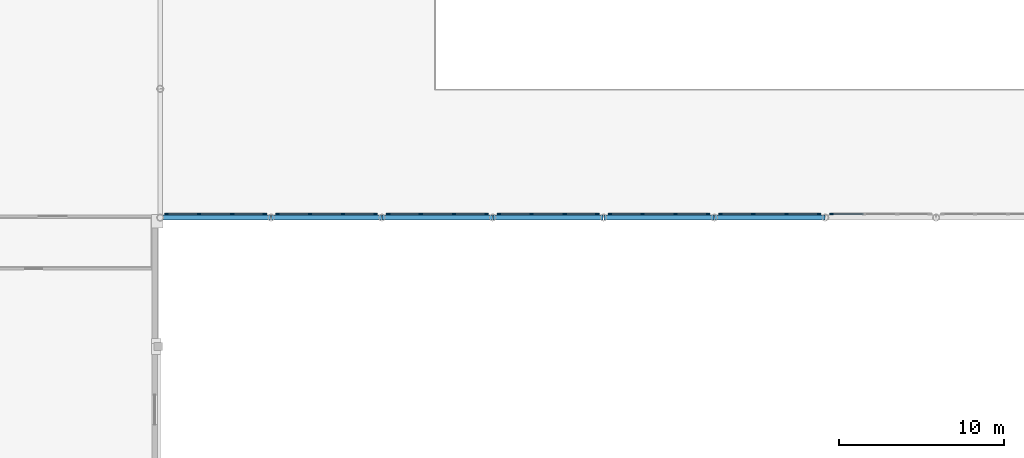
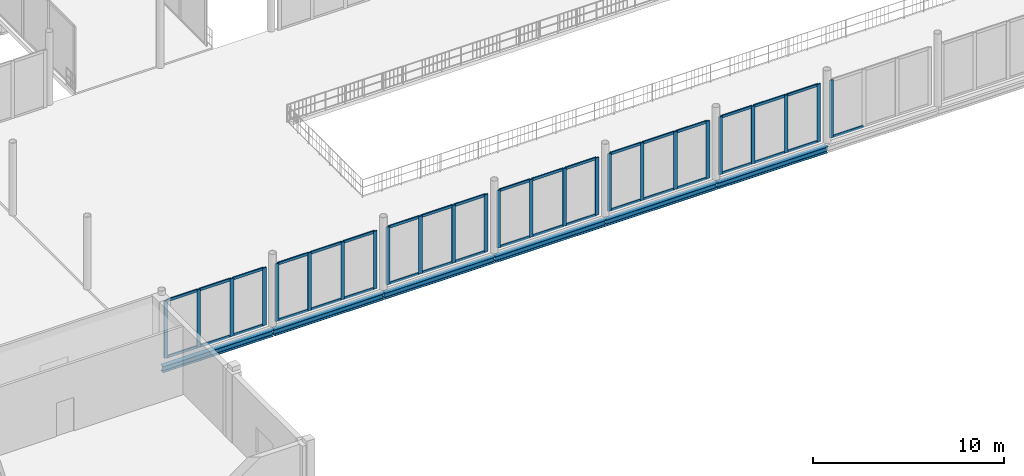
# One storey, part 28 of 98: 62 members, 6 beams, 7 elements without a shape of their own.
"""IFC4 building model written with IfcOpenShell, lengths in metres."""

from ifc_helpers import new_model, si_unit, direction, frame, origin, origin_2d, place, context, subcontext, project, spatial, rectangle, i_section, extrude, material, material_profile, profile_set, type_object, element, aggregate, save


model = new_model("IFC4")

# Units and contexts
model_context = context("Model", 3, precision=1e-05, world=origin(), true_north=direction((0.0, 1.0)))
body_context = subcontext(model_context, "Body", "Model", "MODEL_VIEW")
ifc_project = project(units=[si_unit("LENGTHUNIT", "METRE"), si_unit("AREAUNIT", "SQUARE_METRE"), si_unit("VOLUMEUNIT", "CUBIC_METRE"), si_unit("PLANEANGLEUNIT", "RADIAN"), si_unit("MASSUNIT", "GRAM", prefix="KILO")], contexts=[model_context])

# Site, building, storey
site_placement = place(None, origin())
site = spatial("IfcSite", under=ifc_project, at=site_placement, CompositionType="ELEMENT")
building_placement = place(site_placement, origin())
building = spatial("IfcBuilding", under=site, at=building_placement, Name="Nabrawat Pavilion Hospital", CompositionType="ELEMENT")
storey_placement = place(building_placement, frame((0.0, 0.0, 10.199951171875)))
storey = spatial("IfcBuildingStorey", under=building, at=storey_placement, Name="L02", CompositionType="ELEMENT", Elevation=10.199951171875)

# Curtain wall, members
ifc_material_1 = material(Name="Anodised Aluminium", Category="aluminium")
curtain_wall_type = type_object("IfcCurtainWallType", Name="Main Hall Pavilion Unitised Curtain Wall", PredefinedType="USERDEFINED", material=ifc_material_1)
curtain_wall_1_placement = place(storey_placement, origin())
curtain_wall_1 = element("IfcCurtainWall", 1, at=curtain_wall_1_placement, inside=storey, type_object=curtain_wall_type, Name="L02 Main Hall Pavilion Unitised Curtain Wall 098", ObjectType="CURTAIN WALL", PredefinedType="USERDEFINED")
ifc_material_profile_1 = material_profile(ifc_material_1, rectangle(XDim=0.074951171875, YDim=0.219970703125, at=origin_2d()), Name="CWM 75x220")
ifc_profile_set_1 = profile_set([ifc_material_profile_1], Name="Anodised Aluminium")
member_type_1 = type_object("IfcMemberType", Name="Main Hall Pavilion Unitised Curtain Wall Mullion CWM 75x220", PredefinedType="MULLION", material=ifc_profile_set_1)
member_1_placement = place(storey_placement, frame((59.30078125, 15.820068359375, 0.0), z_axis=(0.0, 0.0, 1.0), x_axis=(0.0, 1.0, 0.0)))
member_1 = element("IfcMember", 2, at=member_1_placement, type_object=member_type_1, Name="CW-MH-01 mullion 1", PredefinedType="MULLION", context=body_context, shape_type="SweptSolid", body=[
    extrude(rectangle(XDim=0.074951171875, YDim=0.219970703125, at=origin_2d()), origin(), (0.0, 0.0, 1.0), 3.679931640625),
])
member_2_placement = place(storey_placement, frame((61.2705078125, 15.820068359375, 0.0), z_axis=(0.0, 0.0, 1.0), x_axis=(0.0, 1.0, 0.0)))
member_2 = element("IfcMember", 3, at=member_2_placement, type_object=member_type_1, Name="CW-MH-01 mullion 2", PredefinedType="MULLION", context=body_context, shape_type="SweptSolid", body=[
    extrude(rectangle(XDim=0.074951171875, YDim=0.219970703125, at=origin_2d()), origin(), (0.0, 0.0, 1.0), 3.679931640625),
])
member_3_placement = place(storey_placement, frame((63.277587890625, 15.820068359375, 0.0), z_axis=(0.0, 0.0, 1.0), x_axis=(0.0, 1.0, 0.0)))
member_3 = element("IfcMember", 4, at=member_3_placement, type_object=member_type_1, Name="CW-MH-01 mullion 3", PredefinedType="MULLION", context=body_context, shape_type="SweptSolid", body=[
    extrude(rectangle(XDim=0.074951171875, YDim=0.219970703125, at=origin_2d()), origin(), (0.0, 0.0, 1.0), 3.679931640625),
])
member_4_placement = place(storey_placement, frame((65.247314453125, 15.820068359375, 0.0), z_axis=(0.0, 0.0, 1.0), x_axis=(0.0, 1.0, 0.0)))
member_4 = element("IfcMember", 5, at=member_4_placement, type_object=member_type_1, Name="CW-MH-01 mullion 4", PredefinedType="MULLION", context=body_context, shape_type="SweptSolid", body=[
    extrude(rectangle(XDim=0.074951171875, YDim=0.219970703125, at=origin_2d()), origin(), (0.0, 0.0, 1.0), 3.679931640625),
])

curtain_wall_2_placement = place(storey_placement, origin())
curtain_wall_2 = element("IfcCurtainWall", 6, at=curtain_wall_2_placement, inside=storey, type_object=curtain_wall_type, Name="L02 Main Hall Pavilion Unitised Curtain Wall 099", ObjectType="CURTAIN WALL", PredefinedType="USERDEFINED")
member_5_placement = place(storey_placement, frame((66.0087890625, 15.820068359375, 0.0), z_axis=(0.0, 0.0, 1.0), x_axis=(0.0, 1.0, 0.0)))
member_5 = element("IfcMember", 7, at=member_5_placement, type_object=member_type_1, Name="CW-MH-01 mullion 1", PredefinedType="MULLION", context=body_context, shape_type="SweptSolid", body=[
    extrude(rectangle(XDim=0.074951171875, YDim=0.219970703125, at=origin_2d()), origin(), (0.0, 0.0, 1.0), 3.679931640625),
])
member_6_placement = place(storey_placement, frame((67.978515625, 15.820068359375, 0.0), z_axis=(0.0, 0.0, 1.0), x_axis=(0.0, 1.0, 0.0)))
member_6 = element("IfcMember", 8, at=member_6_placement, type_object=member_type_1, Name="CW-MH-01 mullion 2", PredefinedType="MULLION", context=body_context, shape_type="SweptSolid", body=[
    extrude(rectangle(XDim=0.074951171875, YDim=0.219970703125, at=origin_2d()), origin(), (0.0, 0.0, 1.0), 3.679931640625),
])
member_7_placement = place(storey_placement, frame((69.985595703125, 15.820068359375, 0.0), z_axis=(0.0, 0.0, 1.0), x_axis=(0.0, 1.0, 0.0)))
member_7 = element("IfcMember", 9, at=member_7_placement, type_object=member_type_1, Name="CW-MH-01 mullion 3", PredefinedType="MULLION", context=body_context, shape_type="SweptSolid", body=[
    extrude(rectangle(XDim=0.074951171875, YDim=0.219970703125, at=origin_2d()), origin(), (0.0, 0.0, 1.0), 3.679931640625),
])
member_8_placement = place(storey_placement, frame((71.955322265625, 15.820068359375, 0.0), z_axis=(0.0, 0.0, 1.0), x_axis=(0.0, 1.0, 0.0)))
member_8 = element("IfcMember", 10, at=member_8_placement, type_object=member_type_1, Name="CW-MH-01 mullion 4", PredefinedType="MULLION", context=body_context, shape_type="SweptSolid", body=[
    extrude(rectangle(XDim=0.074951171875, YDim=0.219970703125, at=origin_2d()), origin(), (0.0, 0.0, 1.0), 3.679931640625),
])

curtain_wall_3_placement = place(storey_placement, origin())
curtain_wall_3 = element("IfcCurtainWall", 11, at=curtain_wall_3_placement, inside=storey, type_object=curtain_wall_type, Name="L02 Main Hall Pavilion Unitised Curtain Wall 100", ObjectType="CURTAIN WALL", PredefinedType="USERDEFINED")
member_9_placement = place(storey_placement, frame((72.716796875, 15.820068359375, 0.0), z_axis=(0.0, 0.0, 1.0), x_axis=(0.0, 1.0, 0.0)))
member_9 = element("IfcMember", 12, at=member_9_placement, type_object=member_type_1, Name="CW-MH-01 mullion 1", PredefinedType="MULLION", context=body_context, shape_type="SweptSolid", body=[
    extrude(rectangle(XDim=0.074951171875, YDim=0.219970703125, at=origin_2d()), origin(), (0.0, 0.0, 1.0), 3.679931640625),
])
member_10_placement = place(storey_placement, frame((74.686279296875, 15.820068359375, 0.0), z_axis=(0.0, 0.0, 1.0), x_axis=(0.0, 1.0, 0.0)))
member_10 = element("IfcMember", 13, at=member_10_placement, type_object=member_type_1, Name="CW-MH-01 mullion 2", PredefinedType="MULLION", context=body_context, shape_type="SweptSolid", body=[
    extrude(rectangle(XDim=0.074951171875, YDim=0.219970703125, at=origin_2d()), origin(), (0.0, 0.0, 1.0), 3.679931640625),
])
member_11_placement = place(storey_placement, frame((76.693603515625, 15.820068359375, 0.0), z_axis=(0.0, 0.0, 1.0), x_axis=(0.0, 1.0, 0.0)))
member_11 = element("IfcMember", 14, at=member_11_placement, type_object=member_type_1, Name="CW-MH-01 mullion 3", PredefinedType="MULLION", context=body_context, shape_type="SweptSolid", body=[
    extrude(rectangle(XDim=0.074951171875, YDim=0.219970703125, at=origin_2d()), origin(), (0.0, 0.0, 1.0), 3.679931640625),
])
member_12_placement = place(storey_placement, frame((78.663330078125, 15.820068359375, 0.0), z_axis=(0.0, 0.0, 1.0), x_axis=(0.0, 1.0, 0.0)))
member_12 = element("IfcMember", 15, at=member_12_placement, type_object=member_type_1, Name="CW-MH-01 mullion 4", PredefinedType="MULLION", context=body_context, shape_type="SweptSolid", body=[
    extrude(rectangle(XDim=0.074951171875, YDim=0.219970703125, at=origin_2d()), origin(), (0.0, 0.0, 1.0), 3.679931640625),
])

curtain_wall_4_placement = place(storey_placement, origin())
curtain_wall_4 = element("IfcCurtainWall", 16, at=curtain_wall_4_placement, inside=storey, type_object=curtain_wall_type, Name="L02 Main Hall Pavilion Unitised Curtain Wall 101", ObjectType="CURTAIN WALL", PredefinedType="USERDEFINED")
member_13_placement = place(storey_placement, frame((79.4248046875, 15.820068359375, 0.0), z_axis=(0.0, 0.0, 1.0), x_axis=(0.0, 1.0, 0.0)))
member_13 = element("IfcMember", 17, at=member_13_placement, type_object=member_type_1, Name="CW-MH-01 mullion 1", PredefinedType="MULLION", context=body_context, shape_type="SweptSolid", body=[
    extrude(rectangle(XDim=0.074951171875, YDim=0.219970703125, at=origin_2d()), origin(), (0.0, 0.0, 1.0), 3.679931640625),
])
member_14_placement = place(storey_placement, frame((81.394287109375, 15.820068359375, 0.0), z_axis=(0.0, 0.0, 1.0), x_axis=(0.0, 1.0, 0.0)))
member_14 = element("IfcMember", 18, at=member_14_placement, type_object=member_type_1, Name="CW-MH-01 mullion 2", PredefinedType="MULLION", context=body_context, shape_type="SweptSolid", body=[
    extrude(rectangle(XDim=0.074951171875, YDim=0.219970703125, at=origin_2d()), origin(), (0.0, 0.0, 1.0), 3.679931640625),
])
member_15_placement = place(storey_placement, frame((83.401611328125, 15.820068359375, 0.0), z_axis=(0.0, 0.0, 1.0), x_axis=(0.0, 1.0, 0.0)))
member_15 = element("IfcMember", 19, at=member_15_placement, type_object=member_type_1, Name="CW-MH-01 mullion 3", PredefinedType="MULLION", context=body_context, shape_type="SweptSolid", body=[
    extrude(rectangle(XDim=0.074951171875, YDim=0.219970703125, at=origin_2d()), origin(), (0.0, 0.0, 1.0), 3.679931640625),
])
member_16_placement = place(storey_placement, frame((85.371337890625, 15.820068359375, 0.0), z_axis=(0.0, 0.0, 1.0), x_axis=(0.0, 1.0, 0.0)))
member_16 = element("IfcMember", 20, at=member_16_placement, type_object=member_type_1, Name="CW-MH-01 mullion 4", PredefinedType="MULLION", context=body_context, shape_type="SweptSolid", body=[
    extrude(rectangle(XDim=0.074951171875, YDim=0.219970703125, at=origin_2d()), origin(), (0.0, 0.0, 1.0), 3.679931640625),
])

curtain_wall_5_placement = place(storey_placement, origin())
curtain_wall_5 = element("IfcCurtainWall", 21, at=curtain_wall_5_placement, inside=storey, type_object=curtain_wall_type, Name="L02 Main Hall Pavilion Unitised Curtain Wall 102", ObjectType="CURTAIN WALL", PredefinedType="USERDEFINED")
member_17_placement = place(storey_placement, frame((86.1328125, 15.820068359375, 0.0), z_axis=(0.0, 0.0, 1.0), x_axis=(0.0, 1.0, 0.0)))
member_17 = element("IfcMember", 22, at=member_17_placement, type_object=member_type_1, Name="CW-MH-01 mullion 1", PredefinedType="MULLION", context=body_context, shape_type="SweptSolid", body=[
    extrude(rectangle(XDim=0.074951171875, YDim=0.219970703125, at=origin_2d()), origin(), (0.0, 0.0, 1.0), 3.679931640625),
])
member_18_placement = place(storey_placement, frame((88.102294921875, 15.820068359375, 0.0), z_axis=(0.0, 0.0, 1.0), x_axis=(0.0, 1.0, 0.0)))
member_18 = element("IfcMember", 23, at=member_18_placement, type_object=member_type_1, Name="CW-MH-01 mullion 2", PredefinedType="MULLION", context=body_context, shape_type="SweptSolid", body=[
    extrude(rectangle(XDim=0.074951171875, YDim=0.219970703125, at=origin_2d()), origin(), (0.0, 0.0, 1.0), 3.679931640625),
])
member_19_placement = place(storey_placement, frame((90.109619140625, 15.820068359375, 0.0), z_axis=(0.0, 0.0, 1.0), x_axis=(0.0, 1.0, 0.0)))
member_19 = element("IfcMember", 24, at=member_19_placement, type_object=member_type_1, Name="CW-MH-01 mullion 3", PredefinedType="MULLION", context=body_context, shape_type="SweptSolid", body=[
    extrude(rectangle(XDim=0.074951171875, YDim=0.219970703125, at=origin_2d()), origin(), (0.0, 0.0, 1.0), 3.679931640625),
])
member_20_placement = place(storey_placement, frame((92.079345703125, 15.820068359375, 0.0), z_axis=(0.0, 0.0, 1.0), x_axis=(0.0, 1.0, 0.0)))
member_20 = element("IfcMember", 25, at=member_20_placement, type_object=member_type_1, Name="CW-MH-01 mullion 4", PredefinedType="MULLION", context=body_context, shape_type="SweptSolid", body=[
    extrude(rectangle(XDim=0.074951171875, YDim=0.219970703125, at=origin_2d()), origin(), (0.0, 0.0, 1.0), 3.679931640625),
])

curtain_wall_6_placement = place(storey_placement, origin())
curtain_wall_6 = element("IfcCurtainWall", 26, at=curtain_wall_6_placement, inside=storey, type_object=curtain_wall_type, Name="L02 Main Hall Pavilion Unitised Curtain Wall 103", ObjectType="CURTAIN WALL", PredefinedType="USERDEFINED")
member_21_placement = place(storey_placement, frame((92.8408203125, 15.820068359375, 0.0), z_axis=(0.0, 0.0, 1.0), x_axis=(0.0, 1.0, 0.0)))
member_21 = element("IfcMember", 27, at=member_21_placement, type_object=member_type_1, Name="CW-MH-01 mullion 1", PredefinedType="MULLION", context=body_context, shape_type="SweptSolid", body=[
    extrude(rectangle(XDim=0.074951171875, YDim=0.219970703125, at=origin_2d()), origin(), (0.0, 0.0, 1.0), 3.679931640625),
])
member_22_placement = place(storey_placement, frame((94.810302734375, 15.820068359375, 0.0), z_axis=(0.0, 0.0, 1.0), x_axis=(0.0, 1.0, 0.0)))
member_22 = element("IfcMember", 28, at=member_22_placement, type_object=member_type_1, Name="CW-MH-01 mullion 2", PredefinedType="MULLION", context=body_context, shape_type="SweptSolid", body=[
    extrude(rectangle(XDim=0.074951171875, YDim=0.219970703125, at=origin_2d()), origin(), (0.0, 0.0, 1.0), 3.679931640625),
])
member_23_placement = place(storey_placement, frame((96.817626953125, 15.820068359375, 0.0), z_axis=(0.0, 0.0, 1.0), x_axis=(0.0, 1.0, 0.0)))
member_23 = element("IfcMember", 29, at=member_23_placement, type_object=member_type_1, Name="CW-MH-01 mullion 3", PredefinedType="MULLION", context=body_context, shape_type="SweptSolid", body=[
    extrude(rectangle(XDim=0.074951171875, YDim=0.219970703125, at=origin_2d()), origin(), (0.0, 0.0, 1.0), 3.679931640625),
])
member_24_placement = place(storey_placement, frame((98.787353515625, 15.820068359375, 0.0), z_axis=(0.0, 0.0, 1.0), x_axis=(0.0, 1.0, 0.0)))
member_24 = element("IfcMember", 30, at=member_24_placement, type_object=member_type_1, Name="CW-MH-01 mullion 4", PredefinedType="MULLION", context=body_context, shape_type="SweptSolid", body=[
    extrude(rectangle(XDim=0.074951171875, YDim=0.219970703125, at=origin_2d()), origin(), (0.0, 0.0, 1.0), 3.679931640625),
])

# Curtain wall, member
curtain_wall_7_placement = place(storey_placement, origin())
curtain_wall_7 = element("IfcCurtainWall", 31, at=curtain_wall_7_placement, inside=storey, type_object=curtain_wall_type, Name="L02 Main Hall Pavilion Unitised Curtain Wall 104", ObjectType="CURTAIN WALL", PredefinedType="USERDEFINED")
member_25_placement = place(storey_placement, frame((99.548583984375, 15.820068359375, 0.0), z_axis=(0.0, 0.0, 1.0), x_axis=(0.0, 1.0, 0.0)))
member_25 = element("IfcMember", 32, at=member_25_placement, type_object=member_type_1, Name="CW-MH-01 mullion 1", PredefinedType="MULLION", context=body_context, shape_type="SweptSolid", body=[
    extrude(rectangle(XDim=0.074951171875, YDim=0.219970703125, at=origin_2d()), origin(), (0.0, 0.0, 1.0), 3.679931640625),
])

# Member
ifc_material_profile_2 = material_profile(ifc_material_1, rectangle(XDim=0.074951171875, YDim=0.1650390625, at=origin_2d()), Name="CWT 75x165")
ifc_profile_set_2 = profile_set([ifc_material_profile_2], Name="Anodised Aluminium")
member_type_2 = type_object("IfcMemberType", Name="Main Hall Pavilion Unitised Curtain Wall Transom CWT 75x165", PredefinedType="USERDEFINED", material=ifc_profile_set_2)
member_26_placement = place(storey_placement, frame((59.338134765625, 15.820068359375, 0.03759765625), z_axis=(1.0, 0.0, 0.0), x_axis=(0.0, 1.0, 0.0)))
member_26 = element("IfcMember", 33, at=member_26_placement, type_object=member_type_2, Name="CW-MH-01 transom 1.1", ObjectType="TRANSOM", PredefinedType="USERDEFINED", context=body_context, shape_type="SweptSolid", body=[
    extrude(rectangle(XDim=0.074951171875, YDim=0.1650390625, at=origin_2d()), origin(), (0.0, 0.0, 1.0), 1.894775390625),
])

member_27_placement = place(storey_placement, frame((59.338134765625, 15.820068359375, 3.642578125), z_axis=(1.0, 0.0, 0.0), x_axis=(0.0, 1.0, 0.0)))
member_27 = element("IfcMember", 34, at=member_27_placement, type_object=member_type_2, Name="CW-MH-01 transom 1.2", ObjectType="TRANSOM", PredefinedType="USERDEFINED", context=body_context, shape_type="SweptSolid", body=[
    extrude(rectangle(XDim=0.074951171875, YDim=0.1650390625, at=origin_2d()), origin(), (0.0, 0.0, 1.0), 1.894775390625),
])

member_28_placement = place(storey_placement, frame((61.307861328125, 15.820068359375, 0.03759765625), z_axis=(1.0, 0.0, 0.0), x_axis=(0.0, 1.0, 0.0)))
member_28 = element("IfcMember", 35, at=member_28_placement, type_object=member_type_2, Name="CW-MH-01 transom 2.1", ObjectType="TRANSOM", PredefinedType="USERDEFINED", context=body_context, shape_type="SweptSolid", body=[
    extrude(rectangle(XDim=0.074951171875, YDim=0.1650390625, at=origin_2d()), origin(), (0.0, 0.0, 1.0), 1.93212890625),
])

member_29_placement = place(storey_placement, frame((61.307861328125, 15.820068359375, 3.642578125), z_axis=(1.0, 0.0, 0.0), x_axis=(0.0, 1.0, 0.0)))
member_29 = element("IfcMember", 36, at=member_29_placement, type_object=member_type_2, Name="CW-MH-01 transom 2.2", ObjectType="TRANSOM", PredefinedType="USERDEFINED", context=body_context, shape_type="SweptSolid", body=[
    extrude(rectangle(XDim=0.074951171875, YDim=0.1650390625, at=origin_2d()), origin(), (0.0, 0.0, 1.0), 1.93212890625),
])

member_30_placement = place(storey_placement, frame((63.315185546875, 15.820068359375, 0.03759765625), z_axis=(1.0, 0.0, 0.0), x_axis=(0.0, 1.0, 0.0)))
member_30 = element("IfcMember", 37, at=member_30_placement, type_object=member_type_2, Name="CW-MH-01 transom 3.1", ObjectType="TRANSOM", PredefinedType="USERDEFINED", context=body_context, shape_type="SweptSolid", body=[
    extrude(rectangle(XDim=0.074951171875, YDim=0.1650390625, at=origin_2d()), origin(), (0.0, 0.0, 1.0), 1.89453125),
])

member_31_placement = place(storey_placement, frame((63.315185546875, 15.820068359375, 3.642578125), z_axis=(1.0, 0.0, 0.0), x_axis=(0.0, 1.0, 0.0)))
member_31 = element("IfcMember", 38, at=member_31_placement, type_object=member_type_2, Name="CW-MH-01 transom 3.2", ObjectType="TRANSOM", PredefinedType="USERDEFINED", context=body_context, shape_type="SweptSolid", body=[
    extrude(rectangle(XDim=0.074951171875, YDim=0.1650390625, at=origin_2d()), origin(), (0.0, 0.0, 1.0), 1.89453125),
])

aggregate(curtain_wall_1, [member_1, member_2, member_3, member_4, member_26, member_27, member_28, member_29, member_30, member_31])

member_32_placement = place(storey_placement, frame((66.046142578125, 15.820068359375, 0.03759765625), z_axis=(1.0, 0.0, 0.0), x_axis=(0.0, 1.0, 0.0)))
member_32 = element("IfcMember", 39, at=member_32_placement, type_object=member_type_2, Name="CW-MH-01 transom 1.1", ObjectType="TRANSOM", PredefinedType="USERDEFINED", context=body_context, shape_type="SweptSolid", body=[
    extrude(rectangle(XDim=0.074951171875, YDim=0.1650390625, at=origin_2d()), origin(), (0.0, 0.0, 1.0), 1.894775390625),
])

member_33_placement = place(storey_placement, frame((66.046142578125, 15.820068359375, 3.642578125), z_axis=(1.0, 0.0, 0.0), x_axis=(0.0, 1.0, 0.0)))
member_33 = element("IfcMember", 40, at=member_33_placement, type_object=member_type_2, Name="CW-MH-01 transom 1.2", ObjectType="TRANSOM", PredefinedType="USERDEFINED", context=body_context, shape_type="SweptSolid", body=[
    extrude(rectangle(XDim=0.074951171875, YDim=0.1650390625, at=origin_2d()), origin(), (0.0, 0.0, 1.0), 1.894775390625),
])

member_34_placement = place(storey_placement, frame((68.015869140625, 15.820068359375, 0.03759765625), z_axis=(1.0, 0.0, 0.0), x_axis=(0.0, 1.0, 0.0)))
member_34 = element("IfcMember", 41, at=member_34_placement, type_object=member_type_2, Name="CW-MH-01 transom 2.1", ObjectType="TRANSOM", PredefinedType="USERDEFINED", context=body_context, shape_type="SweptSolid", body=[
    extrude(rectangle(XDim=0.074951171875, YDim=0.1650390625, at=origin_2d()), origin(), (0.0, 0.0, 1.0), 1.93212890625),
])

member_35_placement = place(storey_placement, frame((68.015869140625, 15.820068359375, 3.642578125), z_axis=(1.0, 0.0, 0.0), x_axis=(0.0, 1.0, 0.0)))
member_35 = element("IfcMember", 42, at=member_35_placement, type_object=member_type_2, Name="CW-MH-01 transom 2.2", ObjectType="TRANSOM", PredefinedType="USERDEFINED", context=body_context, shape_type="SweptSolid", body=[
    extrude(rectangle(XDim=0.074951171875, YDim=0.1650390625, at=origin_2d()), origin(), (0.0, 0.0, 1.0), 1.93212890625),
])

member_36_placement = place(storey_placement, frame((70.023193359375, 15.820068359375, 0.03759765625), z_axis=(1.0, 0.0, 0.0), x_axis=(0.0, 1.0, 0.0)))
member_36 = element("IfcMember", 43, at=member_36_placement, type_object=member_type_2, Name="CW-MH-01 transom 3.1", ObjectType="TRANSOM", PredefinedType="USERDEFINED", context=body_context, shape_type="SweptSolid", body=[
    extrude(rectangle(XDim=0.074951171875, YDim=0.1650390625, at=origin_2d()), origin(), (0.0, 0.0, 1.0), 1.89453125),
])

member_37_placement = place(storey_placement, frame((70.023193359375, 15.820068359375, 3.642578125), z_axis=(1.0, 0.0, 0.0), x_axis=(0.0, 1.0, 0.0)))
member_37 = element("IfcMember", 44, at=member_37_placement, type_object=member_type_2, Name="CW-MH-01 transom 3.2", ObjectType="TRANSOM", PredefinedType="USERDEFINED", context=body_context, shape_type="SweptSolid", body=[
    extrude(rectangle(XDim=0.074951171875, YDim=0.1650390625, at=origin_2d()), origin(), (0.0, 0.0, 1.0), 1.89453125),
])

aggregate(curtain_wall_2, [member_5, member_6, member_7, member_8, member_32, member_33, member_34, member_35, member_36, member_37])

member_38_placement = place(storey_placement, frame((72.754150390625, 15.820068359375, 0.03759765625), z_axis=(1.0, 0.0, 0.0), x_axis=(0.0, 1.0, 0.0)))
member_38 = element("IfcMember", 45, at=member_38_placement, type_object=member_type_2, Name="CW-MH-01 transom 1.1", ObjectType="TRANSOM", PredefinedType="USERDEFINED", context=body_context, shape_type="SweptSolid", body=[
    extrude(rectangle(XDim=0.074951171875, YDim=0.1650390625, at=origin_2d()), origin(), (0.0, 0.0, 1.0), 1.894775390625),
])

member_39_placement = place(storey_placement, frame((72.754150390625, 15.820068359375, 3.642578125), z_axis=(1.0, 0.0, 0.0), x_axis=(0.0, 1.0, 0.0)))
member_39 = element("IfcMember", 46, at=member_39_placement, type_object=member_type_2, Name="CW-MH-01 transom 1.2", ObjectType="TRANSOM", PredefinedType="USERDEFINED", context=body_context, shape_type="SweptSolid", body=[
    extrude(rectangle(XDim=0.074951171875, YDim=0.1650390625, at=origin_2d()), origin(), (0.0, 0.0, 1.0), 1.894775390625),
])

member_40_placement = place(storey_placement, frame((74.723876953125, 15.820068359375, 0.03759765625), z_axis=(1.0, 0.0, 0.0), x_axis=(0.0, 1.0, 0.0)))
member_40 = element("IfcMember", 47, at=member_40_placement, type_object=member_type_2, Name="CW-MH-01 transom 2.1", ObjectType="TRANSOM", PredefinedType="USERDEFINED", context=body_context, shape_type="SweptSolid", body=[
    extrude(rectangle(XDim=0.074951171875, YDim=0.1650390625, at=origin_2d()), origin(), (0.0, 0.0, 1.0), 1.93212890625),
])

member_41_placement = place(storey_placement, frame((74.723876953125, 15.820068359375, 3.642578125), z_axis=(1.0, 0.0, 0.0), x_axis=(0.0, 1.0, 0.0)))
member_41 = element("IfcMember", 48, at=member_41_placement, type_object=member_type_2, Name="CW-MH-01 transom 2.2", ObjectType="TRANSOM", PredefinedType="USERDEFINED", context=body_context, shape_type="SweptSolid", body=[
    extrude(rectangle(XDim=0.074951171875, YDim=0.1650390625, at=origin_2d()), origin(), (0.0, 0.0, 1.0), 1.93212890625),
])

member_42_placement = place(storey_placement, frame((76.731201171875, 15.820068359375, 0.03759765625), z_axis=(1.0, 0.0, 0.0), x_axis=(0.0, 1.0, 0.0)))
member_42 = element("IfcMember", 49, at=member_42_placement, type_object=member_type_2, Name="CW-MH-01 transom 3.1", ObjectType="TRANSOM", PredefinedType="USERDEFINED", context=body_context, shape_type="SweptSolid", body=[
    extrude(rectangle(XDim=0.074951171875, YDim=0.1650390625, at=origin_2d()), origin(), (0.0, 0.0, 1.0), 1.89453125),
])

member_43_placement = place(storey_placement, frame((76.731201171875, 15.820068359375, 3.642578125), z_axis=(1.0, 0.0, 0.0), x_axis=(0.0, 1.0, 0.0)))
member_43 = element("IfcMember", 50, at=member_43_placement, type_object=member_type_2, Name="CW-MH-01 transom 3.2", ObjectType="TRANSOM", PredefinedType="USERDEFINED", context=body_context, shape_type="SweptSolid", body=[
    extrude(rectangle(XDim=0.074951171875, YDim=0.1650390625, at=origin_2d()), origin(), (0.0, 0.0, 1.0), 1.89453125),
])

aggregate(curtain_wall_3, [member_9, member_10, member_11, member_12, member_38, member_39, member_40, member_41, member_42, member_43])

member_44_placement = place(storey_placement, frame((79.462158203125, 15.820068359375, 0.03759765625), z_axis=(1.0, 0.0, 0.0), x_axis=(0.0, 1.0, 0.0)))
member_44 = element("IfcMember", 51, at=member_44_placement, type_object=member_type_2, Name="CW-MH-01 transom 1.1", ObjectType="TRANSOM", PredefinedType="USERDEFINED", context=body_context, shape_type="SweptSolid", body=[
    extrude(rectangle(XDim=0.074951171875, YDim=0.1650390625, at=origin_2d()), origin(), (0.0, 0.0, 1.0), 1.894775390625),
])

member_45_placement = place(storey_placement, frame((79.462158203125, 15.820068359375, 3.642578125), z_axis=(1.0, 0.0, 0.0), x_axis=(0.0, 1.0, 0.0)))
member_45 = element("IfcMember", 52, at=member_45_placement, type_object=member_type_2, Name="CW-MH-01 transom 1.2", ObjectType="TRANSOM", PredefinedType="USERDEFINED", context=body_context, shape_type="SweptSolid", body=[
    extrude(rectangle(XDim=0.074951171875, YDim=0.1650390625, at=origin_2d()), origin(), (0.0, 0.0, 1.0), 1.894775390625),
])

member_46_placement = place(storey_placement, frame((81.431884765625, 15.820068359375, 0.03759765625), z_axis=(1.0, 0.0, 0.0), x_axis=(0.0, 1.0, 0.0)))
member_46 = element("IfcMember", 53, at=member_46_placement, type_object=member_type_2, Name="CW-MH-01 transom 2.1", ObjectType="TRANSOM", PredefinedType="USERDEFINED", context=body_context, shape_type="SweptSolid", body=[
    extrude(rectangle(XDim=0.074951171875, YDim=0.1650390625, at=origin_2d()), origin(), (0.0, 0.0, 1.0), 1.93212890625),
])

member_47_placement = place(storey_placement, frame((81.431884765625, 15.820068359375, 3.642578125), z_axis=(1.0, 0.0, 0.0), x_axis=(0.0, 1.0, 0.0)))
member_47 = element("IfcMember", 54, at=member_47_placement, type_object=member_type_2, Name="CW-MH-01 transom 2.2", ObjectType="TRANSOM", PredefinedType="USERDEFINED", context=body_context, shape_type="SweptSolid", body=[
    extrude(rectangle(XDim=0.074951171875, YDim=0.1650390625, at=origin_2d()), origin(), (0.0, 0.0, 1.0), 1.93212890625),
])

member_48_placement = place(storey_placement, frame((83.439208984375, 15.820068359375, 0.03759765625), z_axis=(1.0, 0.0, 0.0), x_axis=(0.0, 1.0, 0.0)))
member_48 = element("IfcMember", 55, at=member_48_placement, type_object=member_type_2, Name="CW-MH-01 transom 3.1", ObjectType="TRANSOM", PredefinedType="USERDEFINED", context=body_context, shape_type="SweptSolid", body=[
    extrude(rectangle(XDim=0.074951171875, YDim=0.1650390625, at=origin_2d()), origin(), (0.0, 0.0, 1.0), 1.89453125),
])

member_49_placement = place(storey_placement, frame((83.439208984375, 15.820068359375, 3.642578125), z_axis=(1.0, 0.0, 0.0), x_axis=(0.0, 1.0, 0.0)))
member_49 = element("IfcMember", 56, at=member_49_placement, type_object=member_type_2, Name="CW-MH-01 transom 3.2", ObjectType="TRANSOM", PredefinedType="USERDEFINED", context=body_context, shape_type="SweptSolid", body=[
    extrude(rectangle(XDim=0.074951171875, YDim=0.1650390625, at=origin_2d()), origin(), (0.0, 0.0, 1.0), 1.89453125),
])

aggregate(curtain_wall_4, [member_13, member_14, member_15, member_16, member_44, member_45, member_46, member_47, member_48, member_49])

member_50_placement = place(storey_placement, frame((86.170166015625, 15.820068359375, 0.03759765625), z_axis=(1.0, 0.0, 0.0), x_axis=(0.0, 1.0, 0.0)))
member_50 = element("IfcMember", 57, at=member_50_placement, type_object=member_type_2, Name="CW-MH-01 transom 1.1", ObjectType="TRANSOM", PredefinedType="USERDEFINED", context=body_context, shape_type="SweptSolid", body=[
    extrude(rectangle(XDim=0.074951171875, YDim=0.1650390625, at=origin_2d()), origin(), (0.0, 0.0, 1.0), 1.894775390625),
])

member_51_placement = place(storey_placement, frame((86.170166015625, 15.820068359375, 3.642578125), z_axis=(1.0, 0.0, 0.0), x_axis=(0.0, 1.0, 0.0)))
member_51 = element("IfcMember", 58, at=member_51_placement, type_object=member_type_2, Name="CW-MH-01 transom 1.2", ObjectType="TRANSOM", PredefinedType="USERDEFINED", context=body_context, shape_type="SweptSolid", body=[
    extrude(rectangle(XDim=0.074951171875, YDim=0.1650390625, at=origin_2d()), origin(), (0.0, 0.0, 1.0), 1.894775390625),
])

member_52_placement = place(storey_placement, frame((88.139892578125, 15.820068359375, 0.03759765625), z_axis=(1.0, 0.0, 0.0), x_axis=(0.0, 1.0, 0.0)))
member_52 = element("IfcMember", 59, at=member_52_placement, type_object=member_type_2, Name="CW-MH-01 transom 2.1", ObjectType="TRANSOM", PredefinedType="USERDEFINED", context=body_context, shape_type="SweptSolid", body=[
    extrude(rectangle(XDim=0.074951171875, YDim=0.1650390625, at=origin_2d()), origin(), (0.0, 0.0, 1.0), 1.93212890625),
])

member_53_placement = place(storey_placement, frame((88.139892578125, 15.820068359375, 3.642578125), z_axis=(1.0, 0.0, 0.0), x_axis=(0.0, 1.0, 0.0)))
member_53 = element("IfcMember", 60, at=member_53_placement, type_object=member_type_2, Name="CW-MH-01 transom 2.2", ObjectType="TRANSOM", PredefinedType="USERDEFINED", context=body_context, shape_type="SweptSolid", body=[
    extrude(rectangle(XDim=0.074951171875, YDim=0.1650390625, at=origin_2d()), origin(), (0.0, 0.0, 1.0), 1.93212890625),
])

member_54_placement = place(storey_placement, frame((90.147216796875, 15.820068359375, 0.03759765625), z_axis=(1.0, 0.0, 0.0), x_axis=(0.0, 1.0, 0.0)))
member_54 = element("IfcMember", 61, at=member_54_placement, type_object=member_type_2, Name="CW-MH-01 transom 3.1", ObjectType="TRANSOM", PredefinedType="USERDEFINED", context=body_context, shape_type="SweptSolid", body=[
    extrude(rectangle(XDim=0.074951171875, YDim=0.1650390625, at=origin_2d()), origin(), (0.0, 0.0, 1.0), 1.89453125),
])

member_55_placement = place(storey_placement, frame((90.147216796875, 15.820068359375, 3.642578125), z_axis=(1.0, 0.0, 0.0), x_axis=(0.0, 1.0, 0.0)))
member_55 = element("IfcMember", 62, at=member_55_placement, type_object=member_type_2, Name="CW-MH-01 transom 3.2", ObjectType="TRANSOM", PredefinedType="USERDEFINED", context=body_context, shape_type="SweptSolid", body=[
    extrude(rectangle(XDim=0.074951171875, YDim=0.1650390625, at=origin_2d()), origin(), (0.0, 0.0, 1.0), 1.89453125),
])

aggregate(curtain_wall_5, [member_17, member_18, member_19, member_20, member_50, member_51, member_52, member_53, member_54, member_55])

member_56_placement = place(storey_placement, frame((92.878173828125, 15.820068359375, 0.03759765625), z_axis=(1.0, 0.0, 0.0), x_axis=(0.0, 1.0, 0.0)))
member_56 = element("IfcMember", 63, at=member_56_placement, type_object=member_type_2, Name="CW-MH-01 transom 1.1", ObjectType="TRANSOM", PredefinedType="USERDEFINED", context=body_context, shape_type="SweptSolid", body=[
    extrude(rectangle(XDim=0.074951171875, YDim=0.1650390625, at=origin_2d()), origin(), (0.0, 0.0, 1.0), 1.894775390625),
])

member_57_placement = place(storey_placement, frame((92.878173828125, 15.820068359375, 3.642578125), z_axis=(1.0, 0.0, 0.0), x_axis=(0.0, 1.0, 0.0)))
member_57 = element("IfcMember", 64, at=member_57_placement, type_object=member_type_2, Name="CW-MH-01 transom 1.2", ObjectType="TRANSOM", PredefinedType="USERDEFINED", context=body_context, shape_type="SweptSolid", body=[
    extrude(rectangle(XDim=0.074951171875, YDim=0.1650390625, at=origin_2d()), origin(), (0.0, 0.0, 1.0), 1.894775390625),
])

member_58_placement = place(storey_placement, frame((94.847900390625, 15.820068359375, 0.03759765625), z_axis=(1.0, 0.0, 0.0), x_axis=(0.0, 1.0, 0.0)))
member_58 = element("IfcMember", 65, at=member_58_placement, type_object=member_type_2, Name="CW-MH-01 transom 2.1", ObjectType="TRANSOM", PredefinedType="USERDEFINED", context=body_context, shape_type="SweptSolid", body=[
    extrude(rectangle(XDim=0.074951171875, YDim=0.1650390625, at=origin_2d()), origin(), (0.0, 0.0, 1.0), 1.93212890625),
])

member_59_placement = place(storey_placement, frame((94.847900390625, 15.820068359375, 3.642578125), z_axis=(1.0, 0.0, 0.0), x_axis=(0.0, 1.0, 0.0)))
member_59 = element("IfcMember", 66, at=member_59_placement, type_object=member_type_2, Name="CW-MH-01 transom 2.2", ObjectType="TRANSOM", PredefinedType="USERDEFINED", context=body_context, shape_type="SweptSolid", body=[
    extrude(rectangle(XDim=0.074951171875, YDim=0.1650390625, at=origin_2d()), origin(), (0.0, 0.0, 1.0), 1.93212890625),
])

member_60_placement = place(storey_placement, frame((96.85498046875, 15.820068359375, 0.03759765625), z_axis=(1.0, 0.0, 0.0), x_axis=(0.0, 1.0, 0.0)))
member_60 = element("IfcMember", 67, at=member_60_placement, type_object=member_type_2, Name="CW-MH-01 transom 3.1", ObjectType="TRANSOM", PredefinedType="USERDEFINED", context=body_context, shape_type="SweptSolid", body=[
    extrude(rectangle(XDim=0.074951171875, YDim=0.1650390625, at=origin_2d()), origin(), (0.0, 0.0, 1.0), 1.894775390625),
])

member_61_placement = place(storey_placement, frame((96.85498046875, 15.820068359375, 3.642578125), z_axis=(1.0, 0.0, 0.0), x_axis=(0.0, 1.0, 0.0)))
member_61 = element("IfcMember", 68, at=member_61_placement, type_object=member_type_2, Name="CW-MH-01 transom 3.2", ObjectType="TRANSOM", PredefinedType="USERDEFINED", context=body_context, shape_type="SweptSolid", body=[
    extrude(rectangle(XDim=0.074951171875, YDim=0.1650390625, at=origin_2d()), origin(), (0.0, 0.0, 1.0), 1.894775390625),
])

aggregate(curtain_wall_6, [member_21, member_22, member_23, member_24, member_56, member_57, member_58, member_59, member_60, member_61])

member_62_placement = place(storey_placement, frame((99.586181640625, 15.820068359375, 0.03759765625), z_axis=(1.0, 0.0, 0.0), x_axis=(0.0, 1.0, 0.0)))
member_62 = element("IfcMember", 69, at=member_62_placement, type_object=member_type_2, Name="CW-MH-01 transom 1.1", ObjectType="TRANSOM", PredefinedType="USERDEFINED", context=body_context, shape_type="SweptSolid", body=[
    extrude(rectangle(XDim=0.074951171875, YDim=0.1650390625, at=origin_2d()), origin(), (0.0, 0.0, 1.0), 1.894775390625),
])

aggregate(curtain_wall_7, [member_25, member_62])

# Beams
ifc_material_2 = material(Name="Steel S355", Category="steel")
ifc_material_profile_3 = material_profile(ifc_material_2, i_section(OverallWidth=0.300048828125, OverallDepth=0.389892578125, WebThickness=0.010986328125, FlangeThickness=0.01904296875, FilletRadius=0.027099609375, at=origin_2d()), Name="HEA 400")
ifc_profile_set_3 = profile_set([ifc_material_profile_3], Name="Steel S355")
beam_type = type_object("IfcBeamType", Name="Perimeter Moment Spandrel Beam HEA 400", PredefinedType="SPANDREL", material=ifc_profile_set_3)
for number, where, z_axis, x_axis, name in (
    (70, (58.93994140625, 15.60009765625, -0.43505859375), (1.0, 0.0, 0.0), (0.0, 1.0, 0.0), "L02 Primary X Girder 953"),
    (71, (65.64794921875, 15.60009765625, -0.43505859375), (1.0, 0.0, 0.0), (0.0, 1.0, 0.0), "L02 Primary X Girder 954"),
    (72, (72.35595703125, 15.60009765625, -0.43505859375), (1.0, 0.0, 0.0), (0.0, 1.0, 0.0), "L02 Primary X Girder 955"),
    (73, (79.06396484375, 15.60009765625, -0.43505859375), (1.0, 0.0, 0.0), (0.0, 1.0, 0.0), "L02 Primary X Girder 956"),
    (74, (85.77197265625, 15.60009765625, -0.43505859375), (1.0, 0.0, 0.0), (0.0, 1.0, 0.0), "L02 Primary X Girder 957"),
    (75, (92.47998046875, 15.60009765625, -0.43505859375), (1.0, 0.0, 0.0), (0.0, 1.0, 0.0), "L02 Primary X Girder 958"),
):
    element("IfcBeam", number, at=place(storey_placement, frame(where, z_axis=z_axis, x_axis=x_axis)), inside=storey, type_object=beam_type, Name=name, PredefinedType="SPANDREL", context=body_context, shape_type="SweptSolid", body=[
        extrude(i_section(OverallWidth=0.300048828125, OverallDepth=0.389892578125, WebThickness=0.010986328125, FlangeThickness=0.01904296875, FilletRadius=0.027099609375, at=origin_2d()), origin(), (0.0, 0.0, 1.0), 6.66796875),
    ])

save(model, "model.ifc")
